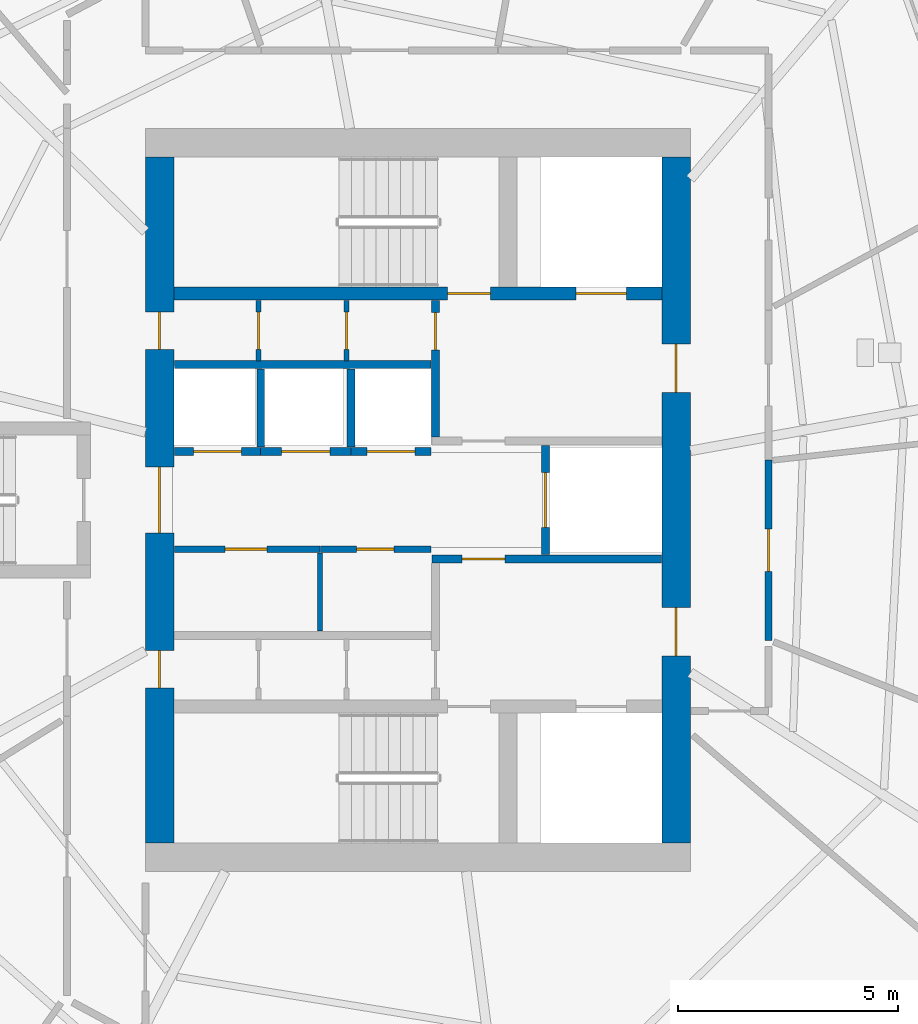
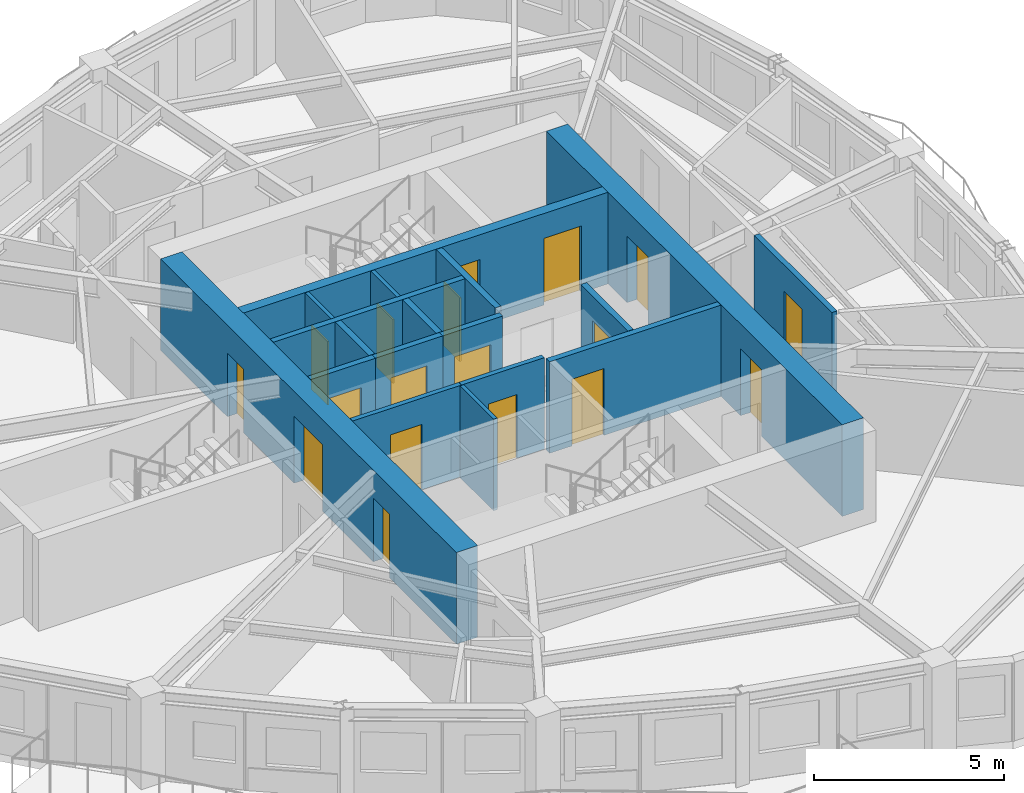
# One storey, part 5 of 12: 18 doors, 18 walls, 18 openings.
"""IFC4 building model written with IfcOpenShell, lengths in metres."""

from ifc_helpers import new_model, si_unit, direction, frame, frame_2d, origin, place, context, subcontext, project, spatial, rectangle, extrude, source, transform, mapped, material, layer, layer_set, type_object, element, fill, save


model = new_model("IFC4")

# Units and contexts
model_context = context("Model", 3, precision=1e-05, world=origin(), true_north=direction((0.0, 1.0)))
body_context = subcontext(model_context, "Body", "Model", "MODEL_VIEW")
ifc_project = project(units=[si_unit("LENGTHUNIT", "METRE"), si_unit("AREAUNIT", "SQUARE_METRE"), si_unit("VOLUMEUNIT", "CUBIC_METRE"), si_unit("PLANEANGLEUNIT", "RADIAN"), si_unit("MASSUNIT", "GRAM", prefix="KILO")], contexts=[model_context])

# Site, building, storey
site_placement = place(None, origin())
site = spatial("IfcSite", under=ifc_project, at=site_placement, CompositionType="ELEMENT")
building_placement = place(site_placement, origin())
building = spatial("IfcBuilding", under=site, at=building_placement, Name="Qafzar Sky-Pleat Residences", CompositionType="ELEMENT")
storey_placement = place(building_placement, frame((0.0, 0.0, 184.199951171875)))
storey = spatial("IfcBuildingStorey", under=building, at=storey_placement, Name="L55", CompositionType="ELEMENT", Elevation=184.199951171875)

# Wall, opening, door
ifc_material_1 = material(Name="Acoustic gypsum plasterboard partition", Category="gypsum")
ifc_layer_1 = layer(ifc_material_1, 0.159912109375)
ifc_layer_set_1 = layer_set([ifc_layer_1], Name="Acoustic gypsum plasterboard partition")
wall_type_1 = type_object("IfcWallType", Name="PART-COR-160", PredefinedType="PARTITIONING", material=ifc_layer_set_1)
wall_1_placement = place(storey_placement, frame((38.330078125, 26.908935546875, 0.0), z_axis=(0.0, 0.0, 1.0), x_axis=(0.0, -1.0, 0.0)))
wall_1 = element("IfcWall", 1, at=wall_1_placement, inside=storey, type_object=wall_type_1, Name="L55 Partition Wall PART-L55-PW-006", PredefinedType="PARTITIONING", context=body_context, shape_type="SweptSolid", body=[
    extrude(rectangle(XDim=4.10498046875, YDim=0.159912109375, at=frame_2d((2.052490234375, 0.0))), origin(), (0.0, 0.0, 1.0), 2.949951171875),
])
opening_1_placement = place(wall_1_placement, frame((1.572021484375, 0.0, 0.0)))
opening_1 = element("IfcOpeningElement", 2, at=opening_1_placement, cuts=wall_1, Name="Opening ID-06", PredefinedType="OPENING", context=body_context, shape_type="SweptSolid", body=[
    extrude(rectangle(XDim=0.9599609375, YDim=2.10009765625, at=frame_2d((0.47998046875, 1.050048828125))), frame((0.0, 0.08984375, 0.0), z_axis=(0.0, -1.0, 0.0), x_axis=(1.0, 0.0, 0.0)), (0.0, 0.0, 1.0), 0.179931640625),
])
ifc_material_2 = material(Name="Timber-faced fire door", Category="wood")
door_type_1 = type_object("IfcDoorType", Name="DR-STD-960", OperationType="NOTDEFINED", PredefinedType="DOOR", material=ifc_material_2)
shared_shape_1 = source(origin(), body_context, "Body", "SweptSolid", [
    extrude(rectangle(XDim=0.9599609375, YDim=2.10009765625, at=frame_2d((0.47998046875, 1.050048828125))), frame((0.0, 0.02490234375, 0.0), z_axis=(0.0, -1.0, 0.0), x_axis=(1.0, 0.0, 0.0)), (0.0, 0.0, 1.0), 0.050048828125),
])
door_1_placement = place(opening_1_placement, origin())
door_1 = element("IfcDoor", 3, at=door_1_placement, inside=storey, type_object=door_type_1, Name="L55 Postdoctoral Admin Office Door", OperationType="SINGLE_SWING_LEFT", OverallHeight=2.10009765625, OverallWidth=0.9599609375, PredefinedType="DOOR", context=body_context, shape_type="MappedRepresentation", body=[
    mapped(shared_shape_1, transform((0.0, 0.0, 0.0), x_axis=(1.0, 0.0, 0.0), y_axis=(0.0, 1.0, 0.0), z_axis=(0.0, 0.0, 1.0), scale=1.0)),
])
fill(opening_1, door_1)

ifc_material_3 = material(Name="Concrete blockwork partition", Category="masonry")
ifc_layer_2 = layer(ifc_material_3, 0.179931640625)
ifc_layer_set_2 = layer_set([ifc_layer_2], Name="Concrete blockwork partition")
wall_type_2 = type_object("IfcWallType", Name="PART-SHAFT-180", PredefinedType="PARTITIONING", material=ifc_layer_set_2)
wall_2_placement = place(storey_placement, frame((30.669921875, 24.659912109375, 0.0), z_axis=(0.0, 0.0, 1.0), x_axis=(1.0, 0.0, 0.0)))
wall_2 = element("IfcWall", 4, at=wall_2_placement, inside=storey, type_object=wall_type_2, Name="L55 Partition Wall PART-L55-FFL1-N", PredefinedType="PARTITIONING", context=body_context, shape_type="SweptSolid", body=[
    extrude(rectangle(XDim=5.219970703125, YDim=0.179931640625, at=frame_2d((2.60986328125, 0.0))), origin(), (0.0, 0.0, 1.0), 2.949951171875),
])
opening_2_placement = place(wall_2_placement, frame((0.679931640625, 0.0, 0.0)))
opening_2 = element("IfcOpeningElement", 5, at=opening_2_placement, cuts=wall_2, Name="Opening ID-01", PredefinedType="OPENING", context=body_context, shape_type="SweptSolid", body=[
    extrude(rectangle(XDim=0.97998046875, YDim=2.14990234375, at=frame_2d((0.489990234375, 1.074951171875))), frame((0.0, 0.10009765625, 0.0), z_axis=(0.0, -1.0, 0.0), x_axis=(1.0, 0.0, 0.0)), (0.0, 0.0, 1.0), 0.199951171875),
])
door_type_2 = type_object("IfcDoorType", Name="DR-STAIR-980", OperationType="NOTDEFINED", PredefinedType="DOOR", material=ifc_material_2)
shared_shape_2 = source(origin(), body_context, "Body", "SweptSolid", [
    extrude(rectangle(XDim=0.97998046875, YDim=2.14990234375, at=frame_2d((0.489990234375, 1.074951171875))), frame((0.0, 0.02490234375, 0.0), z_axis=(0.0, -1.0, 0.0), x_axis=(1.0, 0.0, 0.0)), (0.0, 0.0, 1.0), 0.050048828125),
])
door_2_placement = place(opening_2_placement, origin())
door_2 = element("IfcDoor", 6, at=door_2_placement, inside=storey, type_object=door_type_2, Name="L55 Lift Lobby to South Firefighting Lobby Door", OperationType="SINGLE_SWING_LEFT", OverallHeight=2.14990234375, OverallWidth=0.97998046875, PredefinedType="DOOR", context=body_context, shape_type="MappedRepresentation", body=[
    mapped(shared_shape_2, transform((0.0, 0.0, 0.0), x_axis=(1.0, 0.0, 0.0), y_axis=(0.0, 1.0, 0.0), z_axis=(0.0, 0.0, 1.0), scale=1.0)),
])
fill(opening_2, door_2)

wall_3_placement = place(storey_placement, frame((30.75, 27.429931640625, 0.0), z_axis=(0.0, 0.0, 1.0), x_axis=(0.0, 1.0, 0.0)))
wall_3 = element("IfcWall", 7, at=wall_3_placement, inside=storey, type_object=wall_type_2, Name="L55 Partition Wall PART-L55-FFL2-W", PredefinedType="PARTITIONING", context=body_context, shape_type="SweptSolid", body=[
    extrude(rectangle(XDim=3.110107421875, YDim=0.179931640625, at=frame_2d((1.55517578125, 0.0))), origin(), (0.0, 0.0, 1.0), 2.949951171875),
])
opening_3_placement = place(wall_3_placement, frame((1.97998046875, 0.0, 0.0)))
opening_3 = element("IfcOpeningElement", 8, at=opening_3_placement, cuts=wall_3, Name="Opening ID-09", PredefinedType="OPENING", context=body_context, shape_type="SweptSolid", body=[
    extrude(rectangle(XDim=0.860107421875, YDim=2.050048828125, at=frame_2d((0.43017578125, 1.02490234375))), frame((0.0, 0.10009765625, 0.0), z_axis=(0.0, -1.0, 0.0), x_axis=(1.0, 0.0, 0.0)), (0.0, 0.0, 1.0), 0.199951171875),
])
door_type_3 = type_object("IfcDoorType", Name="DR-SVC-860", OperationType="NOTDEFINED", PredefinedType="DOOR", material=ifc_material_2)
shared_shape_3 = source(origin(), body_context, "Body", "SweptSolid", [
    extrude(rectangle(XDim=0.860107421875, YDim=2.050048828125, at=frame_2d((0.43017578125, 1.02490234375))), frame((0.0, 0.02490234375, 0.0), z_axis=(0.0, -1.0, 0.0), x_axis=(1.0, 0.0, 0.0)), (0.0, 0.0, 1.0), 0.050048828125),
])
door_3_placement = place(opening_3_placement, origin())
door_3 = element("IfcDoor", 9, at=door_3_placement, inside=storey, type_object=door_type_3, Name="L55 North Core Cupboard Door", OperationType="SINGLE_SWING_RIGHT", OverallHeight=2.050048828125, OverallWidth=0.860107421875, PredefinedType="DOOR", context=body_context, shape_type="MappedRepresentation", body=[
    mapped(shared_shape_3, transform((0.0, 0.0, 0.0), x_axis=(1.0, 0.0, 0.0), y_axis=(0.0, 1.0, 0.0), z_axis=(0.0, 0.0, 1.0), scale=1.0)),
])
fill(opening_3, door_3)

wall_4_placement = place(storey_placement, frame((33.25, 24.760009765625, 0.0), z_axis=(0.0, 0.0, 1.0), x_axis=(0.0, 1.0, 0.0)))
wall_4 = element("IfcWall", 10, at=wall_4_placement, inside=storey, type_object=wall_type_2, Name="L55 Partition Wall PART-L55-SV1-W", PredefinedType="PARTITIONING", context=body_context, shape_type="SweptSolid", body=[
    extrude(rectangle(XDim=2.47998046875, YDim=0.179931640625, at=frame_2d((1.239990234375, 0.0))), origin(), (0.0, 0.0, 1.0), 2.949951171875),
])
opening_4_placement = place(wall_4_placement, frame((0.614990234375, 0.0, 0.0)))
opening_4 = element("IfcOpeningElement", 11, at=opening_4_placement, cuts=wall_4, Name="Opening LD-03", PredefinedType="OPENING", context=body_context, shape_type="SweptSolid", body=[
    extrude(rectangle(XDim=1.25, YDim=2.14990234375, at=frame_2d((0.625, 1.074951171875))), frame((0.0, 0.10009765625, 0.0), z_axis=(0.0, -1.0, 0.0), x_axis=(1.0, 0.0, 0.0)), (0.0, 0.0, 1.0), 0.199951171875),
])
ifc_material_4 = material(Name="Stainless steel sliding landing door", Category="steel")
door_type_4 = type_object("IfcDoorType", Name="DR-LIFT-SV", OperationType="DOUBLE_DOOR_SLIDING", PredefinedType="DOOR", material=ifc_material_4)
shared_shape_4 = source(origin(), body_context, "Body", "SweptSolid", [
    extrude(rectangle(XDim=1.25, YDim=2.14990234375, at=frame_2d((0.625, 1.074951171875))), frame((0.0, 0.02490234375, 0.0), z_axis=(0.0, -1.0, 0.0), x_axis=(1.0, 0.0, 0.0)), (0.0, 0.0, 1.0), 0.050048828125),
])
door_4_placement = place(opening_4_placement, origin())
door_4 = element("IfcDoor", 12, at=door_4_placement, inside=storey, type_object=door_type_4, Name="L55 Service Lift SV1 Landing Door", OperationType="DOUBLE_DOOR_SLIDING", OverallHeight=2.14990234375, OverallWidth=1.25, PredefinedType="DOOR", context=body_context, shape_type="MappedRepresentation", body=[
    mapped(shared_shape_4, transform((0.0, 0.0, 0.0), x_axis=(1.0, 0.0, 0.0), y_axis=(0.0, 1.0, 0.0), z_axis=(0.0, 0.0, 1.0), scale=1.0)),
])
fill(opening_4, door_4)

# Wall
wall_5_placement = place(storey_placement, frame((24.81005859375, 29.080078125, 0.0), z_axis=(0.0, 0.0, 1.0), x_axis=(1.0, 0.0, 0.0)))
element("IfcWall", 13, at=wall_5_placement, inside=storey, type_object=wall_type_2, Name="L55 Partition Wall PART-L55-P46-N", PredefinedType="PARTITIONING", context=body_context, shape_type="SweptSolid", body=[
    extrude(rectangle(XDim=5.83984375, YDim=0.179931640625, at=frame_2d((2.919921875, 0.0))), origin(), (0.0, 0.0, 1.0), 2.949951171875),
])

# Wall, opening, door
wall_6_placement = place(storey_placement, frame((24.81005859375, 27.10009765625, 0.0), z_axis=(0.0, 0.0, 1.0), x_axis=(1.0, 0.0, 0.0)))
wall_6 = element("IfcWall", 14, at=wall_6_placement, inside=storey, type_object=wall_type_2, Name="L55 Partition Wall PART-L55-P4-S", PredefinedType="PARTITIONING", context=body_context, shape_type="SweptSolid", body=[
    extrude(rectangle(XDim=1.96484375, YDim=0.179931640625, at=frame_2d((0.982421875, 0.0))), origin(), (0.0, 0.0, 1.0), 2.949951171875),
])
opening_5_placement = place(wall_6_placement, frame((0.4326171875, 0.0, 0.0)))
opening_5 = element("IfcOpeningElement", 15, at=opening_5_placement, cuts=wall_6, Name="Opening LD-01", PredefinedType="OPENING", context=body_context, shape_type="SweptSolid", body=[
    extrude(rectangle(XDim=1.10009765625, YDim=2.14990234375, at=frame_2d((0.550048828125, 1.074951171875))), frame((0.0, 0.10009765625, 0.0), z_axis=(0.0, -1.0, 0.0), x_axis=(1.0, 0.0, 0.0)), (0.0, 0.0, 1.0), 0.199951171875),
])
door_type_5 = type_object("IfcDoorType", Name="DR-LIFT-P", OperationType="DOUBLE_DOOR_SLIDING", PredefinedType="DOOR", material=ifc_material_4)
shared_shape_5 = source(origin(), body_context, "Body", "SweptSolid", [
    extrude(rectangle(XDim=1.10009765625, YDim=2.14990234375, at=frame_2d((0.550048828125, 1.074951171875))), frame((0.0, 0.02490234375, 0.0), z_axis=(0.0, -1.0, 0.0), x_axis=(1.0, 0.0, 0.0)), (0.0, 0.0, 1.0), 0.050048828125),
])
door_5_placement = place(opening_5_placement, origin())
door_5 = element("IfcDoor", 16, at=door_5_placement, inside=storey, type_object=door_type_5, Name="L55 Passenger Lift P4 Landing Door", OperationType="DOUBLE_DOOR_SLIDING", OverallHeight=2.14990234375, OverallWidth=1.10009765625, PredefinedType="DOOR", context=body_context, shape_type="MappedRepresentation", body=[
    mapped(shared_shape_5, transform((0.0, 0.0, 0.0), x_axis=(1.0, 0.0, 0.0), y_axis=(0.0, 1.0, 0.0), z_axis=(0.0, 0.0, 1.0), scale=1.0)),
])
fill(opening_5, door_5)

wall_7_placement = place(storey_placement, frame((26.77490234375, 27.10009765625, 0.0), z_axis=(0.0, 0.0, 1.0), x_axis=(1.0, 0.0, 0.0)))
wall_7 = element("IfcWall", 17, at=wall_7_placement, inside=storey, type_object=wall_type_2, Name="L55 Partition Wall PART-L55-P5-S", PredefinedType="PARTITIONING", context=body_context, shape_type="SweptSolid", body=[
    extrude(rectangle(XDim=2.050048828125, YDim=0.179931640625, at=frame_2d((1.02490234375, 0.0))), origin(), (0.0, 0.0, 1.0), 2.949951171875),
])
opening_6_placement = place(wall_7_placement, frame((0.47509765625, 0.0, 0.0)))
opening_6 = element("IfcOpeningElement", 18, at=opening_6_placement, cuts=wall_7, Name="Opening LD-01", PredefinedType="OPENING", context=body_context, shape_type="SweptSolid", body=[
    extrude(rectangle(XDim=1.10009765625, YDim=2.14990234375, at=frame_2d((0.550048828125, 1.074951171875))), frame((0.0, 0.10009765625, 0.0), z_axis=(0.0, -1.0, 0.0), x_axis=(1.0, 0.0, 0.0)), (0.0, 0.0, 1.0), 0.199951171875),
])
door_6_placement = place(opening_6_placement, origin())
door_6 = element("IfcDoor", 19, at=door_6_placement, inside=storey, type_object=door_type_5, Name="L55 Passenger Lift P5 Landing Door", OperationType="DOUBLE_DOOR_SLIDING", OverallHeight=2.14990234375, OverallWidth=1.10009765625, PredefinedType="DOOR", context=body_context, shape_type="MappedRepresentation", body=[
    mapped(shared_shape_5, transform((0.0, 0.0, 0.0), x_axis=(1.0, 0.0, 0.0), y_axis=(0.0, 1.0, 0.0), z_axis=(0.0, 0.0, 1.0), scale=1.0)),
])
fill(opening_6, door_6)

# Wall
wall_8_placement = place(storey_placement, frame((26.77490234375, 27.199951171875, 0.0), z_axis=(0.0, 0.0, 1.0), x_axis=(0.0, 1.0, 0.0)))
element("IfcWall", 20, at=wall_8_placement, inside=storey, type_object=wall_type_2, Name="L55 Partition Wall PART-L55-P46-DIV-1", PredefinedType="PARTITIONING", context=body_context, shape_type="SweptSolid", body=[
    extrude(rectangle(XDim=1.780029296875, YDim=0.179931640625, at=frame_2d((0.89013671875, 0.0))), origin(), (0.0, 0.0, 1.0), 2.949951171875),
])

# Wall, opening, door
wall_9_placement = place(storey_placement, frame((28.824951171875, 27.10009765625, 0.0), z_axis=(0.0, 0.0, 1.0), x_axis=(1.0, 0.0, 0.0)))
wall_9 = element("IfcWall", 21, at=wall_9_placement, inside=storey, type_object=wall_type_2, Name="L55 Partition Wall PART-L55-P6-S", PredefinedType="PARTITIONING", context=body_context, shape_type="SweptSolid", body=[
    extrude(rectangle(XDim=1.824951171875, YDim=0.179931640625, at=frame_2d((0.91259765625, 0.0))), origin(), (0.0, 0.0, 1.0), 2.949951171875),
])
opening_7_placement = place(wall_9_placement, frame((0.362548828125, 0.0, 0.0)))
opening_7 = element("IfcOpeningElement", 22, at=opening_7_placement, cuts=wall_9, Name="Opening LD-01", PredefinedType="OPENING", context=body_context, shape_type="SweptSolid", body=[
    extrude(rectangle(XDim=1.10009765625, YDim=2.14990234375, at=frame_2d((0.550048828125, 1.074951171875))), frame((0.0, 0.10009765625, 0.0), z_axis=(0.0, -1.0, 0.0), x_axis=(1.0, 0.0, 0.0)), (0.0, 0.0, 1.0), 0.199951171875),
])
door_7_placement = place(opening_7_placement, origin())
door_7 = element("IfcDoor", 23, at=door_7_placement, inside=storey, type_object=door_type_5, Name="L55 Passenger Lift P6 Landing Door", OperationType="DOUBLE_DOOR_SLIDING", OverallHeight=2.14990234375, OverallWidth=1.10009765625, PredefinedType="DOOR", context=body_context, shape_type="MappedRepresentation", body=[
    mapped(shared_shape_5, transform((0.0, 0.0, 0.0), x_axis=(1.0, 0.0, 0.0), y_axis=(0.0, 1.0, 0.0), z_axis=(0.0, 0.0, 1.0), scale=1.0)),
])
fill(opening_7, door_7)

# Walls
wall_10_placement = place(storey_placement, frame((28.824951171875, 27.199951171875, 0.0), z_axis=(0.0, 0.0, 1.0), x_axis=(0.0, 1.0, 0.0)))
element("IfcWall", 24, at=wall_10_placement, inside=storey, type_object=wall_type_2, Name="L55 Partition Wall PART-L55-P46-DIV-2", PredefinedType="PARTITIONING", context=body_context, shape_type="SweptSolid", body=[
    extrude(rectangle(XDim=1.780029296875, YDim=0.179931640625, at=frame_2d((0.89013671875, 0.0))), origin(), (0.0, 0.0, 1.0), 2.949951171875),
])
ifc_material_5 = material(Name="Gypsum plasterboard partition", Category="gypsum")
ifc_layer_3 = layer(ifc_material_5, 0.114990234375)
ifc_layer_set_3 = layer_set([ifc_layer_3], Name="Gypsum plasterboard partition")
wall_type_3 = type_object("IfcWallType", Name="PART-SVC-115", PredefinedType="PARTITIONING", material=ifc_layer_set_3)
wall_11_placement = place(storey_placement, frame((28.125, 23.02001953125, 0.0), z_axis=(0.0, 0.0, 1.0), x_axis=(0.0, 1.0, 0.0)))
element("IfcWall", 25, at=wall_11_placement, inside=storey, type_object=wall_type_3, Name="L55 Partition Wall PART-L55-RECLAIM-DIV", PredefinedType="PARTITIONING", context=body_context, shape_type="SweptSolid", body=[
    extrude(rectangle(XDim=1.77001953125, YDim=0.114990234375, at=frame_2d((0.885009765625, 0.0))), origin(), (0.0, 0.0, 1.0), 2.949951171875),
])

# Wall, opening, door
wall_12_placement = place(storey_placement, frame((26.72509765625, 29.159912109375, 0.0), z_axis=(0.0, 0.0, 1.0), x_axis=(0.0, 1.0, 0.0)))
wall_12 = element("IfcWall", 26, at=wall_12_placement, inside=storey, type_object=wall_type_3, Name="L55 Partition Wall PART-L55-KC-NW-1", PredefinedType="PARTITIONING", context=body_context, shape_type="SweptSolid", body=[
    extrude(rectangle(XDim=1.380126953125, YDim=0.114990234375, at=frame_2d((0.68994140625, 0.0))), origin(), (0.0, 0.0, 1.0), 2.949951171875),
])
opening_8_placement = place(wall_12_placement, frame((0.260009765625, 0.0, 0.0)))
opening_8 = element("IfcOpeningElement", 27, at=opening_8_placement, cuts=wall_12, Name="Opening ID-09", PredefinedType="OPENING", context=body_context, shape_type="SweptSolid", body=[
    extrude(rectangle(XDim=0.860107421875, YDim=2.050048828125, at=frame_2d((0.43017578125, 1.02490234375))), frame((0.0, 0.0673828125, 0.0), z_axis=(0.0, -1.0, 0.0), x_axis=(1.0, 0.0, 0.0)), (0.0, 0.0, 1.0), 0.135009765625),
])
door_8_placement = place(opening_8_placement, origin())
door_8 = element("IfcDoor", 28, at=door_8_placement, inside=storey, type_object=door_type_3, Name="L55 Core North Cupboard 1 Door", OperationType="SINGLE_SWING_LEFT", OverallHeight=2.050048828125, OverallWidth=0.860107421875, PredefinedType="DOOR", context=body_context, shape_type="MappedRepresentation", body=[
    mapped(shared_shape_3, transform((0.0, 0.0, 0.0), x_axis=(1.0, 0.0, 0.0), y_axis=(0.0, 1.0, 0.0), z_axis=(0.0, 0.0, 1.0), scale=1.0)),
])
fill(opening_8, door_8)

wall_13_placement = place(storey_placement, frame((28.72509765625, 29.159912109375, 0.0), z_axis=(0.0, 0.0, 1.0), x_axis=(0.0, 1.0, 0.0)))
wall_13 = element("IfcWall", 29, at=wall_13_placement, inside=storey, type_object=wall_type_3, Name="L55 Partition Wall PART-L55-KC-NW-2", PredefinedType="PARTITIONING", context=body_context, shape_type="SweptSolid", body=[
    extrude(rectangle(XDim=1.380126953125, YDim=0.114990234375, at=frame_2d((0.68994140625, 0.0))), origin(), (0.0, 0.0, 1.0), 2.949951171875),
])
opening_9_placement = place(wall_13_placement, frame((0.260009765625, 0.0, 0.0)))
opening_9 = element("IfcOpeningElement", 30, at=opening_9_placement, cuts=wall_13, Name="Opening ID-09", PredefinedType="OPENING", context=body_context, shape_type="SweptSolid", body=[
    extrude(rectangle(XDim=0.860107421875, YDim=2.050048828125, at=frame_2d((0.43017578125, 1.02490234375))), frame((0.0, 0.0673828125, 0.0), z_axis=(0.0, -1.0, 0.0), x_axis=(1.0, 0.0, 0.0)), (0.0, 0.0, 1.0), 0.135009765625),
])
door_9_placement = place(opening_9_placement, origin())
door_9 = element("IfcDoor", 31, at=door_9_placement, inside=storey, type_object=door_type_3, Name="L55 Core North Cupboard 2 Door", OperationType="SINGLE_SWING_LEFT", OverallHeight=2.050048828125, OverallWidth=0.860107421875, PredefinedType="DOOR", context=body_context, shape_type="MappedRepresentation", body=[
    mapped(shared_shape_3, transform((0.0, 0.0, 0.0), x_axis=(1.0, 0.0, 0.0), y_axis=(0.0, 1.0, 0.0), z_axis=(0.0, 0.0, 1.0), scale=1.0)),
])
fill(opening_9, door_9)

ifc_layer_4 = layer(ifc_material_1, 0.14501953125)
ifc_layer_set_4 = layer_set([ifc_layer_4], Name="Acoustic gypsum plasterboard partition")
wall_type_4 = type_object("IfcWallType", Name="PART-UNIT-145", PredefinedType="PARTITIONING", material=ifc_layer_set_4)
wall_14_placement = place(storey_placement, frame((24.81005859375, 24.8798828125, 0.0), z_axis=(0.0, 0.0, 1.0), x_axis=(1.0, 0.0, 0.0)))
wall_14 = element("IfcWall", 32, at=wall_14_placement, inside=storey, type_object=wall_type_4, Name="L55 Partition Wall PART-L55-RECLAIM-N1", PredefinedType="PARTITIONING", context=body_context, shape_type="SweptSolid", body=[
    extrude(rectangle(XDim=3.31005859375, YDim=0.14501953125, at=frame_2d((1.655029296875, 0.0))), origin(), (0.0, 0.0, 1.0), 2.949951171875),
])
opening_10_placement = place(wall_14_placement, frame((1.14990234375, 0.0, 0.0)))
opening_10 = element("IfcOpeningElement", 33, at=opening_10_placement, cuts=wall_14, Name="Opening ID-06", PredefinedType="OPENING", context=body_context, shape_type="SweptSolid", body=[
    extrude(rectangle(XDim=0.9599609375, YDim=2.10009765625, at=frame_2d((0.47998046875, 1.050048828125))), frame((0.0, 0.08251953125, 0.0), z_axis=(0.0, -1.0, 0.0), x_axis=(1.0, 0.0, 0.0)), (0.0, 0.0, 1.0), 0.1650390625),
])
door_10_placement = place(opening_10_placement, origin())
door_10 = element("IfcDoor", 34, at=door_10_placement, inside=storey, type_object=door_type_1, Name="L55 Reclaimed Quiet Study Room Door", OperationType="SINGLE_SWING_RIGHT", OverallHeight=2.10009765625, OverallWidth=0.9599609375, PredefinedType="DOOR", context=body_context, shape_type="MappedRepresentation", body=[
    mapped(shared_shape_1, transform((0.0, 0.0, 0.0), x_axis=(1.0, 0.0, 0.0), y_axis=(0.0, 1.0, 0.0), z_axis=(0.0, 0.0, 1.0), scale=1.0)),
])
fill(opening_10, door_10)

wall_15_placement = place(storey_placement, frame((28.1298828125, 24.8798828125, 0.0), z_axis=(0.0, 0.0, 1.0), x_axis=(1.0, 0.0, 0.0)))
wall_15 = element("IfcWall", 35, at=wall_15_placement, inside=storey, type_object=wall_type_4, Name="L55 Partition Wall PART-L55-RECLAIM-N2", PredefinedType="PARTITIONING", context=body_context, shape_type="SweptSolid", body=[
    extrude(rectangle(XDim=2.52001953125, YDim=0.14501953125, at=frame_2d((1.260009765625, 0.0))), origin(), (0.0, 0.0, 1.0), 2.949951171875),
])
opening_11_placement = place(wall_15_placement, frame((0.820068359375, 0.0, 0.0)))
opening_11 = element("IfcOpeningElement", 36, at=opening_11_placement, cuts=wall_15, Name="Opening ID-09", PredefinedType="OPENING", context=body_context, shape_type="SweptSolid", body=[
    extrude(rectangle(XDim=0.860107421875, YDim=2.050048828125, at=frame_2d((0.43017578125, 1.02490234375))), frame((0.0, 0.08251953125, 0.0), z_axis=(0.0, -1.0, 0.0), x_axis=(1.0, 0.0, 0.0)), (0.0, 0.0, 1.0), 0.1650390625),
])
door_11_placement = place(opening_11_placement, origin())
door_11 = element("IfcDoor", 37, at=door_11_placement, inside=storey, type_object=door_type_3, Name="L55 Reclaimed Linen Cupboard Door", OperationType="SINGLE_SWING_LEFT", OverallHeight=2.050048828125, OverallWidth=0.860107421875, PredefinedType="DOOR", context=body_context, shape_type="MappedRepresentation", body=[
    mapped(shared_shape_3, transform((0.0, 0.0, 0.0), x_axis=(1.0, 0.0, 0.0), y_axis=(0.0, 1.0, 0.0), z_axis=(0.0, 0.0, 1.0), scale=1.0)),
])
fill(opening_11, door_11)

# Wall, openings, doors
ifc_material_6 = material(Name="Concrete C60/75", Category="concrete")
ifc_layer_5 = layer(ifc_material_6, 0.300048828125)
ifc_layer_set_5 = layer_set([ifc_layer_5], Name="Concrete C60/75")
wall_type_5 = type_object("IfcWallType", Name="WALL-SHEAR-300", PredefinedType="SHEAR", material=ifc_layer_set_5)
wall_16_placement = place(storey_placement, frame((24.800048828125, 30.699951171875, 0.0), z_axis=(0.0, 0.0, 1.0), x_axis=(1.0, 0.0, 0.0)))
wall_16 = element("IfcWall", 38, at=wall_16_placement, inside=storey, type_object=wall_type_5, Name="L55 Stair ST2 and FF2 Shaft South Wall", PredefinedType="SHEAR", context=body_context, shape_type="SweptSolid", body=[
    extrude(rectangle(XDim=11.099853515625, YDim=0.300048828125, at=frame_2d((5.5498046875, 0.0))), origin(), (0.0, 0.0, 1.0), 2.949951171875),
])
opening_12_placement = place(wall_16_placement, frame((6.219970703125, 0.0, 0.0)))
opening_12 = element("IfcOpeningElement", 39, at=opening_12_placement, cuts=wall_16, Name="Opening ID-01", PredefinedType="OPENING", context=body_context, shape_type="SweptSolid", body=[
    extrude(rectangle(XDim=0.97998046875, YDim=2.14990234375, at=frame_2d((0.489990234375, 1.074951171875))), frame((0.0, 0.16015625, 0.0), z_axis=(0.0, -1.0, 0.0), x_axis=(1.0, 0.0, 0.0)), (0.0, 0.0, 1.0), 0.320068359375),
])
opening_13_placement = place(wall_16_placement, frame((9.14990234375, 0.0, 0.0)))
opening_13 = element("IfcOpeningElement", 40, at=opening_13_placement, cuts=wall_16, Name="Opening LD-02", PredefinedType="OPENING", context=body_context, shape_type="SweptSolid", body=[
    extrude(rectangle(XDim=1.14990234375, YDim=2.14990234375, at=frame_2d((0.574951171875, 1.074951171875))), frame((0.0, 0.16015625, 0.0), z_axis=(0.0, -1.0, 0.0), x_axis=(1.0, 0.0, 0.0)), (0.0, 0.0, 1.0), 0.320068359375),
])
door_12_placement = place(opening_12_placement, origin())
door_12 = element("IfcDoor", 41, at=door_12_placement, inside=storey, type_object=door_type_2, Name="L55 Stair ST2 Fire Door", OperationType="SINGLE_SWING_RIGHT", OverallHeight=2.14990234375, OverallWidth=0.97998046875, PredefinedType="DOOR", context=body_context, shape_type="MappedRepresentation", body=[
    mapped(shared_shape_2, transform((0.0, 0.0, 0.0), x_axis=(1.0, 0.0, 0.0), y_axis=(0.0, 1.0, 0.0), z_axis=(0.0, 0.0, 1.0), scale=1.0)),
])
fill(opening_12, door_12)
door_type_6 = type_object("IfcDoorType", Name="DR-LIFT-FF", OperationType="DOUBLE_DOOR_SLIDING", PredefinedType="DOOR", material=ifc_material_4)
shared_shape_6 = source(origin(), body_context, "Body", "SweptSolid", [
    extrude(rectangle(XDim=1.14990234375, YDim=2.14990234375, at=frame_2d((0.574951171875, 1.074951171875))), frame((0.0, 0.02490234375, 0.0), z_axis=(0.0, -1.0, 0.0), x_axis=(1.0, 0.0, 0.0)), (0.0, 0.0, 1.0), 0.050048828125),
])
door_13_placement = place(opening_13_placement, origin())
door_13 = element("IfcDoor", 42, at=door_13_placement, inside=storey, type_object=door_type_6, Name="L55 Firefighting Lift FF2 Landing Door", OperationType="DOUBLE_DOOR_SLIDING", OverallHeight=2.14990234375, OverallWidth=1.14990234375, PredefinedType="DOOR", context=body_context, shape_type="MappedRepresentation", body=[
    mapped(shared_shape_6, transform((0.0, 0.0, 0.0), x_axis=(1.0, 0.0, 0.0), y_axis=(0.0, 1.0, 0.0), z_axis=(0.0, 0.0, 1.0), scale=1.0)),
])
fill(opening_13, door_13)

ifc_layer_6 = layer(ifc_material_6, 0.64990234375)
ifc_layer_set_6 = layer_set([ifc_layer_6], Name="Concrete C60/75")
wall_type_6 = type_object("IfcWallType", Name="WALL-SHEAR-650", PredefinedType="SHEAR", material=ifc_layer_set_6)
wall_17_placement = place(storey_placement, frame((24.47509765625, 33.800048828125, 0.0), z_axis=(0.0, 0.0, 1.0), x_axis=(0.0, -1.0, 0.0)))
wall_17 = element("IfcWall", 43, at=wall_17_placement, inside=storey, type_object=wall_type_6, Name="L55 CORE wall W", PredefinedType="SHEAR", context=body_context, shape_type="SweptSolid", body=[
    extrude(rectangle(XDim=15.60009765625, YDim=0.64990234375, at=frame_2d((7.800048828125, 0.0))), origin(), (0.0, 0.0, 1.0), 2.949951171875),
])
opening_14_placement = place(wall_17_placement, frame((7.050048828125, 0.0, 0.0)))
opening_14 = element("IfcOpeningElement", 44, at=opening_14_placement, cuts=wall_17, Name="Opening ID-03", PredefinedType="OPENING", context=body_context, shape_type="SweptSolid", body=[
    extrude(rectangle(XDim=1.5, YDim=2.14990234375, at=frame_2d((0.75, 1.074951171875))), frame((0.0, 0.3349609375, 0.0), z_axis=(0.0, -1.0, 0.0), x_axis=(1.0, 0.0, 0.0)), (0.0, 0.0, 1.0), 0.669921875),
])
opening_15_placement = place(wall_17_placement, frame((3.52001953125, 0.0, 0.0)))
opening_15 = element("IfcOpeningElement", 45, at=opening_15_placement, cuts=wall_17, Name="Opening ID-09", PredefinedType="OPENING", context=body_context, shape_type="SweptSolid", body=[
    extrude(rectangle(XDim=0.860107421875, YDim=2.050048828125, at=frame_2d((0.43017578125, 1.02490234375))), frame((0.0, 0.3349609375, 0.0), z_axis=(0.0, -1.0, 0.0), x_axis=(1.0, 0.0, 0.0)), (0.0, 0.0, 1.0), 0.669921875),
])
opening_16_placement = place(wall_17_placement, frame((11.219970703125, 0.0, 0.0)))
opening_16 = element("IfcOpeningElement", 46, at=opening_16_placement, cuts=wall_17, Name="Opening ID-09", PredefinedType="OPENING", context=body_context, shape_type="SweptSolid", body=[
    extrude(rectangle(XDim=0.860107421875, YDim=2.050048828125, at=frame_2d((0.43017578125, 1.02490234375))), frame((0.0, 0.3349609375, 0.0), z_axis=(0.0, -1.0, 0.0), x_axis=(1.0, 0.0, 0.0)), (0.0, 0.0, 1.0), 0.669921875),
])
door_type_7 = type_object("IfcDoorType", Name="DR-COR-1500", OperationType="DOUBLE_DOOR_SINGLE_SWING", PredefinedType="DOOR", material=ifc_material_2)
shared_shape_7 = source(origin(), body_context, "Body", "SweptSolid", [
    extrude(rectangle(XDim=1.5, YDim=2.14990234375, at=frame_2d((0.75, 1.074951171875))), frame((0.0, 0.02490234375, 0.0), z_axis=(0.0, -1.0, 0.0), x_axis=(1.0, 0.0, 0.0)), (0.0, 0.0, 1.0), 0.050048828125),
])
door_14_placement = place(opening_14_placement, origin())
door_14 = element("IfcDoor", 47, at=door_14_placement, inside=storey, type_object=door_type_7, Name="L55 Lift Lobby West Double Door", OperationType="DOUBLE_DOOR_SINGLE_SWING", OverallHeight=2.14990234375, OverallWidth=1.5, PredefinedType="DOOR", context=body_context, shape_type="MappedRepresentation", body=[
    mapped(shared_shape_7, transform((0.0, 0.0, 0.0), x_axis=(1.0, 0.0, 0.0), y_axis=(0.0, 1.0, 0.0), z_axis=(0.0, 0.0, 1.0), scale=1.0)),
])
fill(opening_14, door_14)
door_15_placement = place(opening_15_placement, origin())
door_15 = element("IfcDoor", 48, at=door_15_placement, inside=storey, type_object=door_type_3, Name="L55 Core North-West Service Door", OperationType="SINGLE_SWING_RIGHT", OverallHeight=2.050048828125, OverallWidth=0.860107421875, PredefinedType="DOOR", context=body_context, shape_type="MappedRepresentation", body=[
    mapped(shared_shape_3, transform((0.0, 0.0, 0.0), x_axis=(1.0, 0.0, 0.0), y_axis=(0.0, 1.0, 0.0), z_axis=(0.0, 0.0, 1.0), scale=1.0)),
])
fill(opening_15, door_15)
door_16_placement = place(opening_16_placement, origin())
door_16 = element("IfcDoor", 49, at=door_16_placement, inside=storey, type_object=door_type_3, Name="L55 Core South-West Service Door", OperationType="SINGLE_SWING_LEFT", OverallHeight=2.050048828125, OverallWidth=0.860107421875, PredefinedType="DOOR", context=body_context, shape_type="MappedRepresentation", body=[
    mapped(shared_shape_3, transform((0.0, 0.0, 0.0), x_axis=(1.0, 0.0, 0.0), y_axis=(0.0, 1.0, 0.0), z_axis=(0.0, 0.0, 1.0), scale=1.0)),
])
fill(opening_16, door_16)

wall_18_placement = place(storey_placement, frame((36.22509765625, 18.199951171875, 0.0), z_axis=(0.0, 0.0, 1.0), x_axis=(0.0, 1.0, 0.0)))
wall_18 = element("IfcWall", 50, at=wall_18_placement, inside=storey, type_object=wall_type_6, Name="L55 CORE wall E", PredefinedType="SHEAR", context=body_context, shape_type="SweptSolid", body=[
    extrude(rectangle(XDim=15.60009765625, YDim=0.64990234375, at=frame_2d((7.800048828125, 0.0))), origin(), (0.0, 0.0, 1.0), 2.949951171875),
])
opening_17_placement = place(wall_18_placement, frame((4.25, 0.0, 0.0)))
opening_17 = element("IfcOpeningElement", 51, at=opening_17_placement, cuts=wall_18, Name="Opening ID-02", PredefinedType="OPENING", context=body_context, shape_type="SweptSolid", body=[
    extrude(rectangle(XDim=1.10009765625, YDim=2.14990234375, at=frame_2d((0.550048828125, 1.074951171875))), frame((0.0, 0.3349609375, 0.0), z_axis=(0.0, -1.0, 0.0), x_axis=(1.0, 0.0, 0.0)), (0.0, 0.0, 1.0), 0.669921875),
])
opening_18_placement = place(wall_18_placement, frame((10.25, 0.0, 0.0)))
opening_18 = element("IfcOpeningElement", 52, at=opening_18_placement, cuts=wall_18, Name="Opening ID-02", PredefinedType="OPENING", context=body_context, shape_type="SweptSolid", body=[
    extrude(rectangle(XDim=1.10009765625, YDim=2.14990234375, at=frame_2d((0.550048828125, 1.074951171875))), frame((0.0, 0.3349609375, 0.0), z_axis=(0.0, -1.0, 0.0), x_axis=(1.0, 0.0, 0.0)), (0.0, 0.0, 1.0), 0.669921875),
])
door_type_8 = type_object("IfcDoorType", Name="DR-FFL-1100", OperationType="NOTDEFINED", PredefinedType="DOOR", material=ifc_material_2)
door_17_placement = place(opening_17_placement, origin())
door_17 = element("IfcDoor", 53, at=door_17_placement, inside=storey, type_object=door_type_8, Name="L55 Firefighting Lobby South Corridor Door", OperationType="SINGLE_SWING_RIGHT", OverallHeight=2.14990234375, OverallWidth=1.10009765625, PredefinedType="DOOR", context=body_context, shape_type="MappedRepresentation", body=[
    mapped(shared_shape_5, transform((0.0, 0.0, 0.0), x_axis=(1.0, 0.0, 0.0), y_axis=(0.0, 1.0, 0.0), z_axis=(0.0, 0.0, 1.0), scale=1.0)),
])
fill(opening_17, door_17)
door_18_placement = place(opening_18_placement, origin())
door_18 = element("IfcDoor", 54, at=door_18_placement, inside=storey, type_object=door_type_8, Name="L55 Firefighting Lobby North Corridor Door", OperationType="SINGLE_SWING_LEFT", OverallHeight=2.14990234375, OverallWidth=1.10009765625, PredefinedType="DOOR", context=body_context, shape_type="MappedRepresentation", body=[
    mapped(shared_shape_5, transform((0.0, 0.0, 0.0), x_axis=(1.0, 0.0, 0.0), y_axis=(0.0, 1.0, 0.0), z_axis=(0.0, 0.0, 1.0), scale=1.0)),
])
fill(opening_18, door_18)

save(model, "model.ifc")
